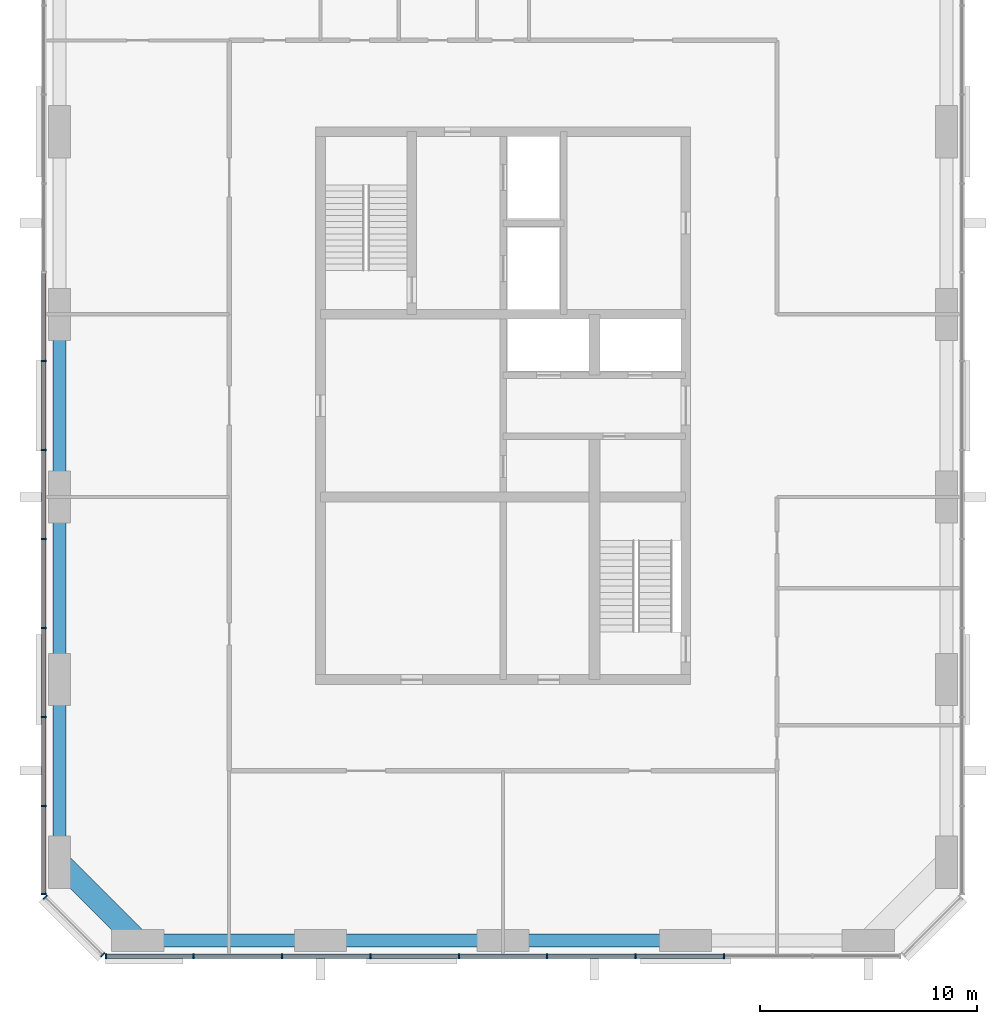
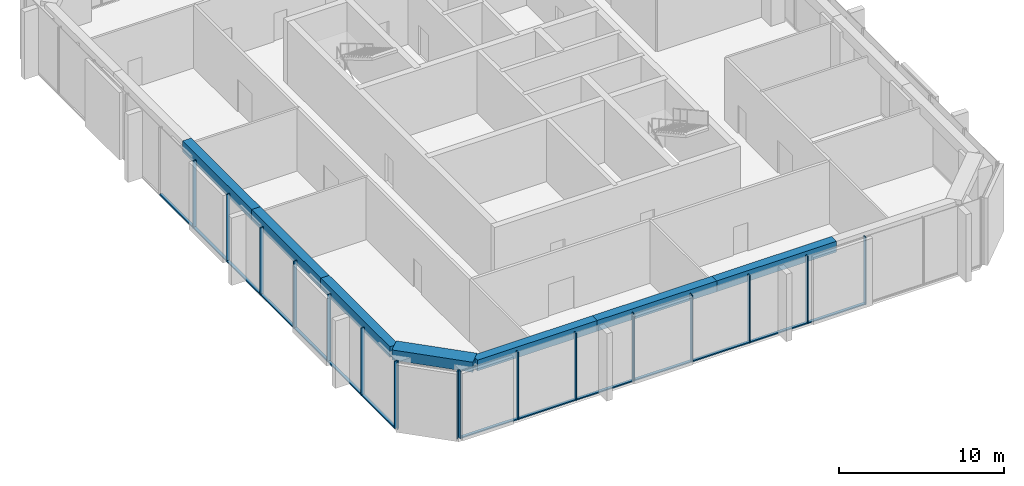
# One storey, part 2 of 9: 31 members, 7 beams, 3 elements without a shape of their own.
"""IFC4 building model written with IfcOpenShell, lengths in metres."""

from ifc_helpers import new_model, si_unit, direction, frame, origin, origin_2d, place, context, subcontext, project, spatial, rectangle, extrude, material, material_profile, profile_set, type_object, element, aggregate, save


model = new_model("IFC4")

# Units and contexts
model_context = context("Model", 3, precision=1e-05, world=origin(), true_north=direction((0.0, 1.0)))
body_context = subcontext(model_context, "Body", "Model", "MODEL_VIEW")
ifc_project = project(units=[si_unit("LENGTHUNIT", "METRE"), si_unit("AREAUNIT", "SQUARE_METRE"), si_unit("VOLUMEUNIT", "CUBIC_METRE"), si_unit("PLANEANGLEUNIT", "RADIAN"), si_unit("MASSUNIT", "GRAM", prefix="KILO")], contexts=[model_context])

# Site, building, storey
site_placement = place(None, origin())
site = spatial("IfcSite", under=ifc_project, at=site_placement, CompositionType="ELEMENT")
building_placement = place(site_placement, origin())
building = spatial("IfcBuilding", under=site, at=building_placement, Name="Dunama Terrace Hotel", CompositionType="ELEMENT")
storey_placement = place(building_placement, frame((0.0, 0.0, 284.10009765625)))
storey = spatial("IfcBuildingStorey", under=building, at=storey_placement, Name="L73", CompositionType="ELEMENT", Elevation=284.10009765625)

# Curtain wall, members
ifc_material_1 = material(Name="Aluminium curtain wall system", Category="aluminium")
curtain_wall_type = type_object("IfcCurtainWallType", Name="Unitised fritted glass wall CW-D", PredefinedType="NOTDEFINED", material=ifc_material_1)
curtain_wall_1_placement = place(storey_placement, origin())
curtain_wall_1 = element("IfcCurtainWall", 1, at=curtain_wall_1_placement, inside=storey, type_object=curtain_wall_type, Name="Unitised fritted glass wall CW-D L73", PredefinedType="NOTDEFINED")
ifc_material_2 = material(Name="Aluminium mullion", Category="aluminium")
ifc_material_profile_1 = material_profile(ifc_material_2, rectangle(XDim=0.070068359375, YDim=0.239990234375, at=origin_2d()), Name="CWD MULLION 70X240")
ifc_profile_set_1 = profile_set([ifc_material_profile_1], Name="Aluminium mullion")
member_type_1 = type_object("IfcMemberType", Name="CWD mullion 70x240", PredefinedType="MULLION", material=ifc_profile_set_1)
member_1_placement = place(storey_placement, frame((15.3349609375, 4.080078125, 0.0), z_axis=(0.0, 0.0, 1.0), x_axis=(1.0, 0.0, 0.0)))
member_1 = element("IfcMember", 2, at=member_1_placement, type_object=member_type_1, Name="CWD mullion", PredefinedType="MULLION", context=body_context, shape_type="SweptSolid", body=[
    extrude(rectangle(XDim=0.070068359375, YDim=0.239990234375, at=origin_2d()), origin(), (0.0, 0.0, 1.0), 5.0),
])
member_2_placement = place(storey_placement, frame((19.366943359375, 4.080078125, 0.0), z_axis=(0.0, 0.0, 1.0), x_axis=(1.0, 0.0, 0.0)))
member_2 = element("IfcMember", 3, at=member_2_placement, type_object=member_type_1, Name="CWD mullion", PredefinedType="MULLION", context=body_context, shape_type="SweptSolid", body=[
    extrude(rectangle(XDim=0.070068359375, YDim=0.239990234375, at=origin_2d()), origin(), (0.0, 0.0, 1.0), 5.0),
])
member_3_placement = place(storey_placement, frame((23.43310546875, 4.080078125, 0.0), z_axis=(0.0, 0.0, 1.0), x_axis=(1.0, 0.0, 0.0)))
member_3 = element("IfcMember", 4, at=member_3_placement, type_object=member_type_1, Name="CWD mullion", PredefinedType="MULLION", context=body_context, shape_type="SweptSolid", body=[
    extrude(rectangle(XDim=0.070068359375, YDim=0.239990234375, at=origin_2d()), origin(), (0.0, 0.0, 1.0), 5.0),
])
member_4_placement = place(storey_placement, frame((27.5, 4.080078125, 0.0), z_axis=(0.0, 0.0, 1.0), x_axis=(1.0, 0.0, 0.0)))
member_4 = element("IfcMember", 5, at=member_4_placement, type_object=member_type_1, Name="CWD mullion", PredefinedType="MULLION", context=body_context, shape_type="SweptSolid", body=[
    extrude(rectangle(XDim=0.070068359375, YDim=0.239990234375, at=origin_2d()), origin(), (0.0, 0.0, 1.0), 5.0),
])
member_5_placement = place(storey_placement, frame((31.56689453125, 4.080078125, 0.0), z_axis=(0.0, 0.0, 1.0), x_axis=(1.0, 0.0, 0.0)))
member_5 = element("IfcMember", 6, at=member_5_placement, type_object=member_type_1, Name="CWD mullion", PredefinedType="MULLION", context=body_context, shape_type="SweptSolid", body=[
    extrude(rectangle(XDim=0.070068359375, YDim=0.239990234375, at=origin_2d()), origin(), (0.0, 0.0, 1.0), 5.0),
])
member_6_placement = place(storey_placement, frame((35.633056640625, 4.080078125, 0.0), z_axis=(0.0, 0.0, 1.0), x_axis=(1.0, 0.0, 0.0)))
member_6 = element("IfcMember", 7, at=member_6_placement, type_object=member_type_1, Name="CWD mullion", PredefinedType="MULLION", context=body_context, shape_type="SweptSolid", body=[
    extrude(rectangle(XDim=0.070068359375, YDim=0.239990234375, at=origin_2d()), origin(), (0.0, 0.0, 1.0), 5.0),
])
member_7_placement = place(storey_placement, frame((39.699951171875, 4.080078125, 0.0), z_axis=(0.0, 0.0, 1.0), x_axis=(1.0, 0.0, 0.0)))
member_7 = element("IfcMember", 8, at=member_7_placement, type_object=member_type_1, Name="CWD mullion", PredefinedType="MULLION", context=body_context, shape_type="SweptSolid", body=[
    extrude(rectangle(XDim=0.070068359375, YDim=0.239990234375, at=origin_2d()), origin(), (0.0, 0.0, 1.0), 5.0),
])
member_8_placement = place(storey_placement, frame((43.76708984375, 4.080078125, 0.0), z_axis=(0.0, 0.0, 1.0), x_axis=(1.0, 0.0, 0.0)))
member_8 = element("IfcMember", 9, at=member_8_placement, type_object=member_type_1, Name="CWD mullion", PredefinedType="MULLION", context=body_context, shape_type="SweptSolid", body=[
    extrude(rectangle(XDim=0.070068359375, YDim=0.239990234375, at=origin_2d()), origin(), (0.0, 0.0, 1.0), 5.0),
])

curtain_wall_2_placement = place(storey_placement, origin())
curtain_wall_2 = element("IfcCurtainWall", 10, at=curtain_wall_2_placement, inside=storey, type_object=curtain_wall_type, Name="Unitised fritted glass wall CW-D L73", PredefinedType="NOTDEFINED")
member_9_placement = place(storey_placement, frame((12.47998046875, 31.445068359375, 0.0), z_axis=(0.0, 0.0, 1.0), x_axis=(0.0, -1.0, 0.0)))
member_9 = element("IfcMember", 11, at=member_9_placement, type_object=member_type_1, Name="CWD mullion", PredefinedType="MULLION", context=body_context, shape_type="SweptSolid", body=[
    extrude(rectangle(XDim=0.070068359375, YDim=0.239990234375, at=origin_2d()), origin(), (0.0, 0.0, 1.0), 5.0),
])
member_10_placement = place(storey_placement, frame((12.47998046875, 27.35498046875, 0.0), z_axis=(0.0, 0.0, 1.0), x_axis=(0.0, -1.0, 0.0)))
member_10 = element("IfcMember", 12, at=member_10_placement, type_object=member_type_1, Name="CWD mullion", PredefinedType="MULLION", context=body_context, shape_type="SweptSolid", body=[
    extrude(rectangle(XDim=0.070068359375, YDim=0.239990234375, at=origin_2d()), origin(), (0.0, 0.0, 1.0), 5.0),
])
member_11_placement = place(storey_placement, frame((12.47998046875, 23.263916015625, 0.0), z_axis=(0.0, 0.0, 1.0), x_axis=(0.0, -1.0, 0.0)))
member_11 = element("IfcMember", 13, at=member_11_placement, type_object=member_type_1, Name="CWD mullion", PredefinedType="MULLION", context=body_context, shape_type="SweptSolid", body=[
    extrude(rectangle(XDim=0.070068359375, YDim=0.239990234375, at=origin_2d()), origin(), (0.0, 0.0, 1.0), 5.0),
])
member_12_placement = place(storey_placement, frame((12.47998046875, 19.173095703125, 0.0), z_axis=(0.0, 0.0, 1.0), x_axis=(0.0, -1.0, 0.0)))
member_12 = element("IfcMember", 14, at=member_12_placement, type_object=member_type_1, Name="CWD mullion", PredefinedType="MULLION", context=body_context, shape_type="SweptSolid", body=[
    extrude(rectangle(XDim=0.070068359375, YDim=0.239990234375, at=origin_2d()), origin(), (0.0, 0.0, 1.0), 5.0),
])
member_13_placement = place(storey_placement, frame((12.47998046875, 15.08203125, 0.0), z_axis=(0.0, 0.0, 1.0), x_axis=(0.0, -1.0, 0.0)))
member_13 = element("IfcMember", 15, at=member_13_placement, type_object=member_type_1, Name="CWD mullion", PredefinedType="MULLION", context=body_context, shape_type="SweptSolid", body=[
    extrude(rectangle(XDim=0.070068359375, YDim=0.239990234375, at=origin_2d()), origin(), (0.0, 0.0, 1.0), 5.0),
])
member_14_placement = place(storey_placement, frame((12.47998046875, 10.990966796875, 0.0), z_axis=(0.0, 0.0, 1.0), x_axis=(0.0, -1.0, 0.0)))
member_14 = element("IfcMember", 16, at=member_14_placement, type_object=member_type_1, Name="CWD mullion", PredefinedType="MULLION", context=body_context, shape_type="SweptSolid", body=[
    extrude(rectangle(XDim=0.070068359375, YDim=0.239990234375, at=origin_2d()), origin(), (0.0, 0.0, 1.0), 5.0),
])
member_15_placement = place(storey_placement, frame((12.47998046875, 6.93505859375, 0.0), z_axis=(0.0, 0.0, 1.0), x_axis=(0.0, -1.0, 0.0)))
member_15 = element("IfcMember", 17, at=member_15_placement, type_object=member_type_1, Name="CWD mullion", PredefinedType="MULLION", context=body_context, shape_type="SweptSolid", body=[
    extrude(rectangle(XDim=0.070068359375, YDim=0.239990234375, at=origin_2d()), origin(), (0.0, 0.0, 1.0), 5.0),
])

curtain_wall_3_placement = place(storey_placement, origin())
curtain_wall_3 = element("IfcCurtainWall", 18, at=curtain_wall_3_placement, inside=storey, type_object=curtain_wall_type, Name="Unitised fritted glass wall CW-D L73", PredefinedType="NOTDEFINED")
member_16_placement = place(storey_placement, frame((12.5400390625, 6.7900390625, 0.0), z_axis=(0.0, 0.0, 1.0), x_axis=(0.707106781187, -0.707106781187, 0.0)))
member_16 = element("IfcMember", 19, at=member_16_placement, type_object=member_type_1, Name="CWD mullion", PredefinedType="MULLION", context=body_context, shape_type="SweptSolid", body=[
    extrude(rectangle(XDim=0.070068359375, YDim=0.239990234375, at=origin_2d()), origin(), (0.0, 0.0, 1.0), 5.0),
])
member_17_placement = place(storey_placement, frame((15.18994140625, 4.139892578125, 0.0), z_axis=(0.0, 0.0, 1.0), x_axis=(0.707106781187, -0.707106781187, 0.0)))
member_17 = element("IfcMember", 20, at=member_17_placement, type_object=member_type_1, Name="CWD mullion", PredefinedType="MULLION", context=body_context, shape_type="SweptSolid", body=[
    extrude(rectangle(XDim=0.070068359375, YDim=0.239990234375, at=origin_2d()), origin(), (0.0, 0.0, 1.0), 5.0),
])
aggregate(curtain_wall_3, [member_16, member_17])

# Member
ifc_material_3 = material(Name="Aluminium transom", Category="aluminium")
ifc_material_profile_2 = material_profile(ifc_material_3, rectangle(XDim=0.199951171875, YDim=0.0849609375, at=origin_2d()), Name="CWD TRANSOM 200X85")
ifc_profile_set_2 = profile_set([ifc_material_profile_2], Name="Aluminium transom")
member_type_2 = type_object("IfcMemberType", Name="CWD transom 200x85", PredefinedType="USERDEFINED", material=ifc_profile_set_2)
member_18_placement = place(storey_placement, frame((15.3701171875, 4.080078125, 0.04248046875), z_axis=(1.0, 0.0, 0.0), x_axis=(0.0, 1.0, 0.0)))
member_18 = element("IfcMember", 21, at=member_18_placement, type_object=member_type_2, Name="CWD transom", ObjectType="TRANSOM", PredefinedType="USERDEFINED", context=body_context, shape_type="SweptSolid", body=[
    extrude(rectangle(XDim=0.199951171875, YDim=0.0849609375, at=origin_2d()), origin(), (0.0, 0.0, 1.0), 3.9619140625),
])

member_19_placement = place(storey_placement, frame((19.402099609375, 4.080078125, 0.04248046875), z_axis=(1.0, 0.0, 0.0), x_axis=(0.0, 1.0, 0.0)))
member_19 = element("IfcMember", 22, at=member_19_placement, type_object=member_type_2, Name="CWD transom", ObjectType="TRANSOM", PredefinedType="USERDEFINED", context=body_context, shape_type="SweptSolid", body=[
    extrude(rectangle(XDim=0.199951171875, YDim=0.0849609375, at=origin_2d()), origin(), (0.0, 0.0, 1.0), 3.995849609375),
])

member_20_placement = place(storey_placement, frame((23.468017578125, 4.080078125, 0.04248046875), z_axis=(1.0, 0.0, 0.0), x_axis=(0.0, 1.0, 0.0)))
member_20 = element("IfcMember", 23, at=member_20_placement, type_object=member_type_2, Name="CWD transom", ObjectType="TRANSOM", PredefinedType="USERDEFINED", context=body_context, shape_type="SweptSolid", body=[
    extrude(rectangle(XDim=0.199951171875, YDim=0.0849609375, at=origin_2d()), origin(), (0.0, 0.0, 1.0), 3.9970703125),
])

member_21_placement = place(storey_placement, frame((27.534912109375, 4.080078125, 0.04248046875), z_axis=(1.0, 0.0, 0.0), x_axis=(0.0, 1.0, 0.0)))
member_21 = element("IfcMember", 24, at=member_21_placement, type_object=member_type_2, Name="CWD transom", ObjectType="TRANSOM", PredefinedType="USERDEFINED", context=body_context, shape_type="SweptSolid", body=[
    extrude(rectangle(XDim=0.199951171875, YDim=0.0849609375, at=origin_2d()), origin(), (0.0, 0.0, 1.0), 3.9970703125),
])

member_22_placement = place(storey_placement, frame((31.60205078125, 4.080078125, 0.04248046875), z_axis=(1.0, 0.0, 0.0), x_axis=(0.0, 1.0, 0.0)))
member_22 = element("IfcMember", 25, at=member_22_placement, type_object=member_type_2, Name="CWD transom", ObjectType="TRANSOM", PredefinedType="USERDEFINED", context=body_context, shape_type="SweptSolid", body=[
    extrude(rectangle(XDim=0.199951171875, YDim=0.0849609375, at=origin_2d()), origin(), (0.0, 0.0, 1.0), 3.995849609375),
])

member_23_placement = place(storey_placement, frame((35.66796875, 4.080078125, 0.04248046875), z_axis=(1.0, 0.0, 0.0), x_axis=(0.0, 1.0, 0.0)))
member_23 = element("IfcMember", 26, at=member_23_placement, type_object=member_type_2, Name="CWD transom", ObjectType="TRANSOM", PredefinedType="USERDEFINED", context=body_context, shape_type="SweptSolid", body=[
    extrude(rectangle(XDim=0.199951171875, YDim=0.0849609375, at=origin_2d()), origin(), (0.0, 0.0, 1.0), 3.9970703125),
])

member_24_placement = place(storey_placement, frame((39.735107421875, 4.080078125, 0.04248046875), z_axis=(1.0, 0.0, 0.0), x_axis=(0.0, 1.0, 0.0)))
member_24 = element("IfcMember", 27, at=member_24_placement, type_object=member_type_2, Name="CWD transom", ObjectType="TRANSOM", PredefinedType="USERDEFINED", context=body_context, shape_type="SweptSolid", body=[
    extrude(rectangle(XDim=0.199951171875, YDim=0.0849609375, at=origin_2d()), origin(), (0.0, 0.0, 1.0), 3.996826171875),
])

aggregate(curtain_wall_1, [member_1, member_2, member_3, member_4, member_5, member_6, member_7, member_8, member_18, member_19, member_20, member_21, member_22, member_23, member_24])

member_25_placement = place(storey_placement, frame((12.47998046875, 35.5009765625, 0.04248046875), z_axis=(0.0, -1.0, 0.0), x_axis=(1.0, 0.0, 0.0)))
member_25 = element("IfcMember", 28, at=member_25_placement, type_object=member_type_2, Name="CWD transom", ObjectType="TRANSOM", PredefinedType="USERDEFINED", context=body_context, shape_type="SweptSolid", body=[
    extrude(rectangle(XDim=0.199951171875, YDim=0.0849609375, at=origin_2d()), origin(), (0.0, 0.0, 1.0), 4.02099609375),
])

member_26_placement = place(storey_placement, frame((12.47998046875, 31.409912109375, 0.04248046875), z_axis=(0.0, -1.0, 0.0), x_axis=(1.0, 0.0, 0.0)))
member_26 = element("IfcMember", 29, at=member_26_placement, type_object=member_type_2, Name="CWD transom", ObjectType="TRANSOM", PredefinedType="USERDEFINED", context=body_context, shape_type="SweptSolid", body=[
    extrude(rectangle(XDim=0.199951171875, YDim=0.0849609375, at=origin_2d()), origin(), (0.0, 0.0, 1.0), 4.02001953125),
])

member_27_placement = place(storey_placement, frame((12.47998046875, 27.320068359375, 0.04248046875), z_axis=(0.0, -1.0, 0.0), x_axis=(1.0, 0.0, 0.0)))
member_27 = element("IfcMember", 30, at=member_27_placement, type_object=member_type_2, Name="CWD transom", ObjectType="TRANSOM", PredefinedType="USERDEFINED", context=body_context, shape_type="SweptSolid", body=[
    extrude(rectangle(XDim=0.199951171875, YDim=0.0849609375, at=origin_2d()), origin(), (0.0, 0.0, 1.0), 4.02099609375),
])

member_28_placement = place(storey_placement, frame((12.47998046875, 23.22900390625, 0.04248046875), z_axis=(0.0, -1.0, 0.0), x_axis=(1.0, 0.0, 0.0)))
member_28 = element("IfcMember", 31, at=member_28_placement, type_object=member_type_2, Name="CWD transom", ObjectType="TRANSOM", PredefinedType="USERDEFINED", context=body_context, shape_type="SweptSolid", body=[
    extrude(rectangle(XDim=0.199951171875, YDim=0.0849609375, at=origin_2d()), origin(), (0.0, 0.0, 1.0), 4.02099609375),
])

member_29_placement = place(storey_placement, frame((12.47998046875, 19.137939453125, 0.04248046875), z_axis=(0.0, -1.0, 0.0), x_axis=(1.0, 0.0, 0.0)))
member_29 = element("IfcMember", 32, at=member_29_placement, type_object=member_type_2, Name="CWD transom", ObjectType="TRANSOM", PredefinedType="USERDEFINED", context=body_context, shape_type="SweptSolid", body=[
    extrude(rectangle(XDim=0.199951171875, YDim=0.0849609375, at=origin_2d()), origin(), (0.0, 0.0, 1.0), 4.02099609375),
])

member_30_placement = place(storey_placement, frame((12.47998046875, 15.047119140625, 0.04248046875), z_axis=(0.0, -1.0, 0.0), x_axis=(1.0, 0.0, 0.0)))
member_30 = element("IfcMember", 33, at=member_30_placement, type_object=member_type_2, Name="CWD transom", ObjectType="TRANSOM", PredefinedType="USERDEFINED", context=body_context, shape_type="SweptSolid", body=[
    extrude(rectangle(XDim=0.199951171875, YDim=0.0849609375, at=origin_2d()), origin(), (0.0, 0.0, 1.0), 4.021240234375),
])

member_31_placement = place(storey_placement, frame((12.47998046875, 10.9560546875, 0.04248046875), z_axis=(0.0, -1.0, 0.0), x_axis=(1.0, 0.0, 0.0)))
member_31 = element("IfcMember", 34, at=member_31_placement, type_object=member_type_2, Name="CWD transom", ObjectType="TRANSOM", PredefinedType="USERDEFINED", context=body_context, shape_type="SweptSolid", body=[
    extrude(rectangle(XDim=0.199951171875, YDim=0.0849609375, at=origin_2d()), origin(), (0.0, 0.0, 1.0), 3.986083984375),
])

aggregate(curtain_wall_2, [member_9, member_10, member_11, member_12, member_13, member_14, member_15, member_25, member_26, member_27, member_28, member_29, member_30, member_31])

# Beams
ifc_material_4 = material(Name="Concrete C50/60", Category="concrete")
ifc_material_profile_3 = material_profile(ifc_material_4, rectangle(XDim=1.0, YDim=0.75, at=origin_2d()), Name="RC 1000x750")
ifc_profile_set_3 = profile_set([ifc_material_profile_3], Name="Concrete C50/60")
beam_type_1 = type_object("IfcBeamType", Name="Edge beam RC 1000x750", PredefinedType="SPANDREL", material=ifc_profile_set_3)
beam_1_placement = place(storey_placement, frame((16.800048828125, 4.800048828125, 4.625), z_axis=(-0.707130757816, 0.707082803744, 0.0), x_axis=(-0.707082803744, -0.707130757816, 0.0)))
element("IfcBeam", 35, at=beam_1_placement, inside=storey, type_object=beam_type_1, Name="Corner edge beam under L74", PredefinedType="SPANDREL", context=body_context, shape_type="SweptSolid", body=[
    extrude(rectangle(XDim=1.0, YDim=0.75, at=origin_2d()), origin(), (0.0, 0.0, 1.0), 5.091064453125),
])
ifc_material_5 = material(Name="Concrete C40/50", Category="concrete")
ifc_material_profile_4 = material_profile(ifc_material_5, rectangle(XDim=0.60009765625, YDim=0.800048828125, at=origin_2d()), Name="RC 600x800")
ifc_profile_set_4 = profile_set([ifc_material_profile_4], Name="Concrete C40/50")
beam_type_2 = type_object("IfcBeamType", Name="Edge beam RC 600x800", PredefinedType="SPANDREL", material=ifc_profile_set_4)
beam_2_placement = place(storey_placement, frame((13.199951171875, 8.39990234375, 4.599853515625), z_axis=(0.0, 1.0, 0.0), x_axis=(-1.0, 0.0, 0.0)))
element("IfcBeam", 36, at=beam_2_placement, inside=storey, type_object=beam_type_2, Name="Edge beam under L74", PredefinedType="SPANDREL", context=body_context, shape_type="SweptSolid", body=[
    extrude(rectangle(XDim=0.60009765625, YDim=0.800048828125, at=origin_2d()), origin(), (0.0, 0.0, 1.0), 8.400146484375),
])
beam_3_placement = place(storey_placement, frame((13.199951171875, 16.800048828125, 4.599853515625), z_axis=(0.0, 1.0, 0.0), x_axis=(-1.0, 0.0, 0.0)))
element("IfcBeam", 37, at=beam_3_placement, inside=storey, type_object=beam_type_2, Name="Edge beam under L74", PredefinedType="SPANDREL", context=body_context, shape_type="SweptSolid", body=[
    extrude(rectangle(XDim=0.60009765625, YDim=0.800048828125, at=origin_2d()), origin(), (0.0, 0.0, 1.0), 8.39990234375),
])
beam_4_placement = place(storey_placement, frame((13.199951171875, 25.199951171875, 4.599853515625), z_axis=(0.0, 1.0, 0.0), x_axis=(-1.0, 0.0, 0.0)))
element("IfcBeam", 38, at=beam_4_placement, inside=storey, type_object=beam_type_2, Name="Edge beam under L74", PredefinedType="SPANDREL", context=body_context, shape_type="SweptSolid", body=[
    extrude(rectangle(XDim=0.60009765625, YDim=0.800048828125, at=origin_2d()), origin(), (0.0, 0.0, 1.0), 8.400146484375),
])
beam_5_placement = place(storey_placement, frame((16.800048828125, 4.800048828125, 4.599853515625), z_axis=(1.0, 0.0, 0.0), x_axis=(0.0, 1.0, 0.0)))
element("IfcBeam", 39, at=beam_5_placement, inside=storey, type_object=beam_type_2, Name="Edge beam under L74", PredefinedType="SPANDREL", context=body_context, shape_type="SweptSolid", body=[
    extrude(rectangle(XDim=0.60009765625, YDim=0.800048828125, at=origin_2d()), origin(), (0.0, 0.0, 1.0), 8.39990234375),
])
beam_6_placement = place(storey_placement, frame((25.199951171875, 4.800048828125, 4.599853515625), z_axis=(1.0, 0.0, 0.0), x_axis=(0.0, 1.0, 0.0)))
element("IfcBeam", 40, at=beam_6_placement, inside=storey, type_object=beam_type_2, Name="Edge beam under L74", PredefinedType="SPANDREL", context=body_context, shape_type="SweptSolid", body=[
    extrude(rectangle(XDim=0.60009765625, YDim=0.800048828125, at=origin_2d()), origin(), (0.0, 0.0, 1.0), 8.400146484375),
])
beam_7_placement = place(storey_placement, frame((33.60009765625, 4.800048828125, 4.599853515625), z_axis=(1.0, 0.0, 0.0), x_axis=(0.0, 1.0, 0.0)))
element("IfcBeam", 41, at=beam_7_placement, inside=storey, type_object=beam_type_2, Name="Edge beam under L74", PredefinedType="SPANDREL", context=body_context, shape_type="SweptSolid", body=[
    extrude(rectangle(XDim=0.60009765625, YDim=0.800048828125, at=origin_2d()), origin(), (0.0, 0.0, 1.0), 8.39990234375),
])

save(model, "model.ifc")
